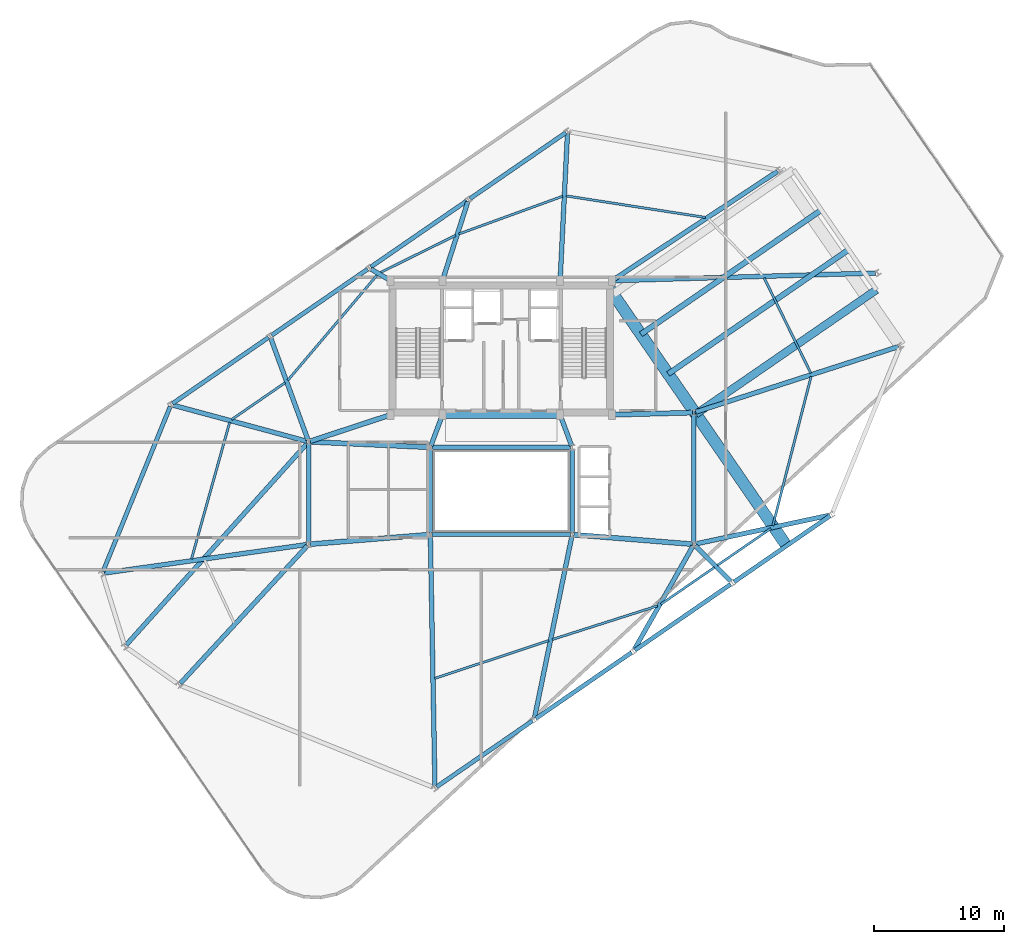
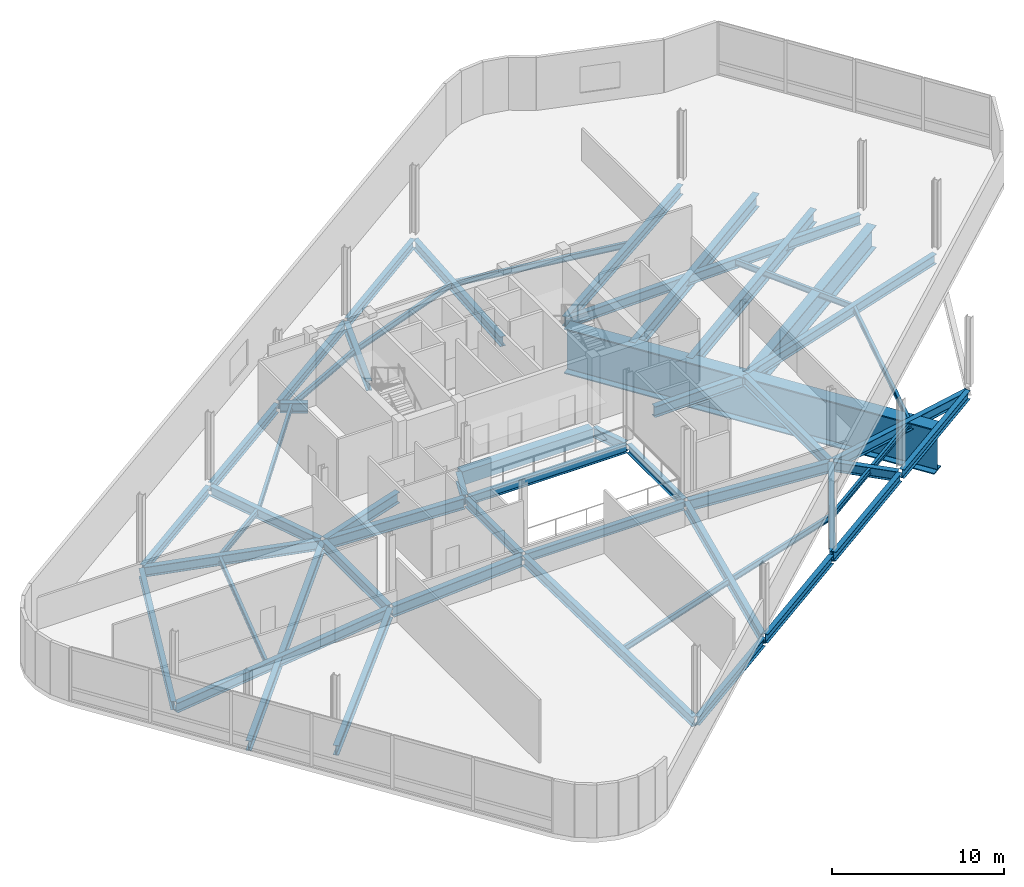
# One storey, part 7 of 15: 55 beams.
"""IFC4 building model written with IfcOpenShell, lengths in metres."""

from ifc_helpers import new_model, si_unit, direction, frame, origin, origin_2d, place, context, subcontext, project, spatial, rectangle, i_section, extrude, material, material_profile, profile_set, type_object, element, save


model = new_model("IFC4")

# Units and contexts
model_context = context("Model", 3, precision=1e-05, world=origin(), true_north=direction((0.0, 1.0)))
body_context = subcontext(model_context, "Body", "Model", "MODEL_VIEW")
ifc_project = project(units=[si_unit("LENGTHUNIT", "METRE"), si_unit("AREAUNIT", "SQUARE_METRE"), si_unit("VOLUMEUNIT", "CUBIC_METRE"), si_unit("PLANEANGLEUNIT", "RADIAN"), si_unit("MASSUNIT", "GRAM", prefix="KILO")], contexts=[model_context])

# Site, building, storey
site_placement = place(None, origin())
site = spatial("IfcSite", under=ifc_project, at=site_placement, CompositionType="ELEMENT")
building_placement = place(site_placement, origin())
building = spatial("IfcBuilding", under=site, at=building_placement, Name="Varnelok Gate Tower", CompositionType="ELEMENT")
storey_placement = place(building_placement, frame((0.0, 0.0, 291.5)))
storey = spatial("IfcBuildingStorey", under=building, at=storey_placement, Name="L75", CompositionType="ELEMENT", Elevation=291.5)

# Beams
ifc_material_1 = material(Name="Structural Steel ASTM A572 Grade 50", Category="steel")
ifc_material_profile_1 = material_profile(ifc_material_1, i_section(OverallWidth=0.60009765625, OverallDepth=1.60009765625, WebThickness=0.028076171875, FlangeThickness=0.050048828125, FilletRadius=0.02392578125, at=origin_2d()), Name="PG1600X600")
ifc_profile_set_1 = profile_set([ifc_material_profile_1], Name="Structural Steel ASTM A572 Grade 50")
beam_type_1 = type_object("IfcBeamType", Name="BM-CANT-G1", PredefinedType="BEAM", material=ifc_profile_set_1)
beam_1_placement = place(storey_placement, frame((54.1533203125, 28.80029296875, -1.1201171875), z_axis=(0.823535006507, 0.567265452022, 0.0), x_axis=(-0.567265452022, 0.823535006507, 0.0)))
element("IfcBeam", 1, at=beam_1_placement, inside=storey, type_object=beam_type_1, Name="L75 Sky Lounge Cantilever Girder 1", PredefinedType="BEAM", context=body_context, shape_type="SweptSolid", body=[
    extrude(i_section(OverallWidth=0.60009765625, OverallDepth=1.60009765625, WebThickness=0.028076171875, FlangeThickness=0.050048828125, FilletRadius=0.02392578125, at=origin_2d()), origin(), (0.0, 0.0, 1.0), 16.831787109375),
])
ifc_material_2 = material(Name="Structural Steel ASTM A992 Grade 50", Category="steel")
ifc_material_profile_2 = material_profile(ifc_material_2, i_section(OverallWidth=0.423095703125, OverallDepth=0.947998046875, WebThickness=0.02392578125, FlangeThickness=0.042724609375, FilletRadius=0.028076171875, at=origin_2d()), Name="W36X302")
ifc_profile_set_2 = profile_set([ifc_material_profile_2], Name="Structural Steel ASTM A992 Grade 50")
beam_type_2 = type_object("IfcBeamType", Name="BM-CANT-G2", PredefinedType="BEAM", material=ifc_profile_set_2)
for number, where, z_axis, x_axis, name in (
    (2, (52.02587890625, 31.888427734375, -0.7939453125), (0.823532897949, 0.567268513135, 0.0), (-0.567268513135, 0.823532897949, 0.0), "L75 Sky Lounge Cantilever Girder 2"),
    (3, (49.927001953125, 34.935546875, -0.7939453125), (0.823532897949, 0.567268513135, 0.0), (-0.567268513135, 0.823532897949, 0.0), "L75 Sky Lounge Cantilever Girder 3"),
):
    element("IfcBeam", number, at=place(storey_placement, frame(where, z_axis=z_axis, x_axis=x_axis)), inside=storey, type_object=beam_type_2, Name=name, PredefinedType="BEAM", context=body_context, shape_type="SweptSolid", body=[
        extrude(i_section(OverallWidth=0.423095703125, OverallDepth=0.947998046875, WebThickness=0.02392578125, FlangeThickness=0.042724609375, FilletRadius=0.028076171875, at=origin_2d()), origin(), (0.0, 0.0, 1.0), 16.83203125),
    ])
ifc_material_profile_3 = material_profile(ifc_material_2, i_section(OverallWidth=0.180908203125, OverallDepth=0.4169921875, WebThickness=0.010986328125, FlangeThickness=0.018310546875, FilletRadius=0.013916015625, at=origin_2d()), Name="W16X57")
ifc_profile_set_3 = profile_set([ifc_material_profile_3], Name="Structural Steel ASTM A992 Grade 50")
beam_type_3 = type_object("IfcBeamType", Name="BM-JST-W16X57", PredefinedType="JOIST", material=ifc_profile_set_3)
beam_2_placement = place(storey_placement, frame((34.086669921875, 8.49658203125, -0.528564453125), z_axis=(0.949274037085, 0.314450000026, 0.0), x_axis=(-0.314450000026, 0.949274037085, 0.0)))
element("IfcBeam", 4, at=beam_2_placement, inside=storey, type_object=beam_type_3, Name="L75 Sector Floor Joist 1", PredefinedType="JOIST", context=body_context, shape_type="SweptSolid", body=[
    extrude(i_section(OverallWidth=0.180908203125, OverallDepth=0.4169921875, WebThickness=0.010986328125, FlangeThickness=0.018310546875, FilletRadius=0.013916015625, at=origin_2d()), origin(), (0.0, 0.0, 1.0), 9.2314453125),
])
beam_3_placement = place(storey_placement, frame((43.1162109375, 11.486083984375, -0.528564453125), z_axis=(0.952675675673, 0.303988580347, 0.0), x_axis=(-0.303988580347, 0.952675675673, 0.0)))
element("IfcBeam", 5, at=beam_3_placement, inside=storey, type_object=beam_type_3, Name="L75 Sector Floor Joist 2", PredefinedType="JOIST", context=body_context, shape_type="SweptSolid", body=[
    extrude(i_section(OverallWidth=0.180908203125, OverallDepth=0.4169921875, WebThickness=0.010986328125, FlangeThickness=0.018310546875, FilletRadius=0.013916015625, at=origin_2d()), origin(), (0.0, 0.0, 1.0), 8.497802734375),
])
beam_4_placement = place(storey_placement, frame((51.460693359375, 14.19140625, -0.528564453125), z_axis=(0.823527908528, 0.567275756468, 0.0), x_axis=(-0.567275756468, 0.823527908528, 0.0)))
element("IfcBeam", 6, at=beam_4_placement, inside=storey, type_object=beam_type_3, Name="L75 Sector Floor Joist 3", PredefinedType="JOIST", context=body_context, shape_type="SweptSolid", body=[
    extrude(i_section(OverallWidth=0.180908203125, OverallDepth=0.4169921875, WebThickness=0.010986328125, FlangeThickness=0.018310546875, FilletRadius=0.013916015625, at=origin_2d()), origin(), (0.0, 0.0, 1.0), 4.992431640625),
])
beam_5_placement = place(storey_placement, frame((55.802734375, 17.18212890625, -0.528564453125), z_axis=(0.823520800119, 0.567286075778, 0.0), x_axis=(-0.567286075778, 0.823520800119, 0.0)))
element("IfcBeam", 7, at=beam_5_placement, inside=storey, type_object=beam_type_3, Name="L75 Sector Floor Joist 4", PredefinedType="JOIST", context=body_context, shape_type="SweptSolid", body=[
    extrude(i_section(OverallWidth=0.180908203125, OverallDepth=0.4169921875, WebThickness=0.010986328125, FlangeThickness=0.018310546875, FilletRadius=0.013916015625, at=origin_2d()), origin(), (0.0, 0.0, 1.0), 4.99267578125),
])
beam_6_placement = place(storey_placement, frame((60.064208984375, 20.229248046875, -0.528564453125), z_axis=(0.248276124204, 0.968689303208, 0.0), x_axis=(-0.968689303208, 0.248276124204, 0.0)))
element("IfcBeam", 8, at=beam_6_placement, inside=storey, type_object=beam_type_3, Name="L75 Sector Floor Joist 5", PredefinedType="JOIST", context=body_context, shape_type="SweptSolid", body=[
    extrude(i_section(OverallWidth=0.180908203125, OverallDepth=0.4169921875, WebThickness=0.010986328125, FlangeThickness=0.018310546875, FilletRadius=0.013916015625, at=origin_2d()), origin(), (0.0, 0.0, 1.0), 11.83935546875),
])
beam_7_placement = place(storey_placement, frame((62.976806640625, 31.959228515625, -0.528564453125), z_axis=(-0.439970708301, 0.898012124549, 0.0), x_axis=(-0.898012124549, -0.439970708301, 0.0)))
element("IfcBeam", 9, at=beam_7_placement, inside=storey, type_object=beam_type_3, Name="L75 Sector Floor Joist 6", PredefinedType="JOIST", context=body_context, shape_type="SweptSolid", body=[
    extrude(i_section(OverallWidth=0.180908203125, OverallDepth=0.4169921875, WebThickness=0.010986328125, FlangeThickness=0.018310546875, FilletRadius=0.013916015625, at=origin_2d()), origin(), (0.0, 0.0, 1.0), 8.13330078125),
])
beam_8_placement = place(storey_placement, frame((54.88818359375, 43.9091796875, -0.528564453125), z_axis=(-0.98823160299, 0.152965024929, 0.0), x_axis=(-0.152965024929, -0.98823160299, 0.0)))
element("IfcBeam", 10, at=beam_8_placement, inside=storey, type_object=beam_type_3, Name="L75 Sector Floor Joist 8", PredefinedType="JOIST", context=body_context, shape_type="SweptSolid", body=[
    extrude(i_section(OverallWidth=0.180908203125, OverallDepth=0.4169921875, WebThickness=0.010986328125, FlangeThickness=0.018310546875, FilletRadius=0.013916015625, at=origin_2d()), origin(), (0.0, 0.0, 1.0), 10.830810546875),
])
beam_9_placement = place(storey_placement, frame((43.914794921875, 45.53955078125, -0.528564453125), z_axis=(-0.939849757467, -0.34158810487, 0.0), x_axis=(0.34158810487, -0.939849757467, 0.0)))
element("IfcBeam", 11, at=beam_9_placement, inside=storey, type_object=beam_type_3, Name="L75 Sector Floor Joist 9", PredefinedType="JOIST", context=body_context, shape_type="SweptSolid", body=[
    extrude(i_section(OverallWidth=0.180908203125, OverallDepth=0.4169921875, WebThickness=0.010986328125, FlangeThickness=0.018310546875, FilletRadius=0.013916015625, at=origin_2d()), origin(), (0.0, 0.0, 1.0), 8.475830078125),
])
beam_10_placement = place(storey_placement, frame((35.691650390625, 42.534423828125, -0.528564453125), z_axis=(-0.896552094437, -0.442938304914, 0.0), x_axis=(0.442938304914, -0.896552094437, 0.0)))
element("IfcBeam", 12, at=beam_10_placement, inside=storey, type_object=beam_type_3, Name="L75 Sector Floor Joist 10", PredefinedType="JOIST", context=body_context, shape_type="SweptSolid", body=[
    extrude(i_section(OverallWidth=0.180908203125, OverallDepth=0.4169921875, WebThickness=0.010986328125, FlangeThickness=0.018310546875, FilletRadius=0.013916015625, at=origin_2d()), origin(), (0.0, 0.0, 1.0), 6.471923828125),
])
beam_11_placement = place(storey_placement, frame((29.673095703125, 39.498779296875, -0.528564453125), z_axis=(-0.647000133206, -0.762489886905, 0.0), x_axis=(0.762489886905, -0.647000133206, 0.0)))
element("IfcBeam", 13, at=beam_11_placement, inside=storey, type_object=beam_type_3, Name="L75 Sector Floor Joist 11", PredefinedType="JOIST", context=body_context, shape_type="SweptSolid", body=[
    extrude(i_section(OverallWidth=0.180908203125, OverallDepth=0.4169921875, WebThickness=0.010986328125, FlangeThickness=0.018310546875, FilletRadius=0.013916015625, at=origin_2d()), origin(), (0.0, 0.0, 1.0), 10.618408203125),
])
beam_12_placement = place(storey_placement, frame((22.597412109375, 31.21630859375, -0.528564453125), z_axis=(-0.823520800119, -0.567286075778, 0.0), x_axis=(0.567286075778, -0.823520800119, 0.0)))
element("IfcBeam", 14, at=beam_12_placement, inside=storey, type_object=beam_type_3, Name="L75 Sector Floor Joist 12", PredefinedType="JOIST", context=body_context, shape_type="SweptSolid", body=[
    extrude(i_section(OverallWidth=0.180908203125, OverallDepth=0.4169921875, WebThickness=0.010986328125, FlangeThickness=0.018310546875, FilletRadius=0.013916015625, at=origin_2d()), origin(), (0.0, 0.0, 1.0), 4.99267578125),
])
beam_13_placement = place(storey_placement, frame((18.332763671875, 28.169921875, -0.528564453125), z_axis=(-0.268896021427, -0.963169211333, 0.0), x_axis=(0.963169211333, -0.268896021427, 0.0)))
element("IfcBeam", 15, at=beam_13_placement, inside=storey, type_object=beam_type_3, Name="L75 Sector Floor Joist 13", PredefinedType="JOIST", context=body_context, shape_type="SweptSolid", body=[
    extrude(i_section(OverallWidth=0.180908203125, OverallDepth=0.4169921875, WebThickness=0.010986328125, FlangeThickness=0.018310546875, FilletRadius=0.013916015625, at=origin_2d()), origin(), (0.0, 0.0, 1.0), 10.908935546875),
])
ifc_material_3 = material(Name="Concrete C60/75", Category="concrete")
ifc_material_profile_4 = material_profile(ifc_material_3, rectangle(XDim=0.60009765625, YDim=0.949951171875, at=origin_2d()), Name="RC950X600")
ifc_profile_set_4 = profile_set([ifc_material_profile_4], Name="Concrete C60/75")
beam_type_4 = type_object("IfcBeamType", Name="BM-LNT-RC950", PredefinedType="LINTEL", material=ifc_profile_set_4)
beam_14_placement = place(storey_placement, frame((34.800048828125, 28.75, -0.794921875), z_axis=(1.0, 0.0, 0.0), x_axis=(0.0, 1.0, 0.0)))
element("IfcBeam", 16, at=beam_14_placement, inside=storey, type_object=beam_type_4, Name="L75 Core-Atrium Spine Beam 7", PredefinedType="LINTEL", context=body_context, shape_type="SweptSolid", body=[
    extrude(rectangle(XDim=0.60009765625, YDim=0.949951171875, at=origin_2d()), origin(), (0.0, 0.0, 1.0), 8.800048828125),
])
ifc_material_profile_5 = material_profile(ifc_material_2, i_section(OverallWidth=0.35498046875, OverallDepth=0.696044921875, WebThickness=0.015380859375, FlangeThickness=0.02490234375, FilletRadius=0.02001953125, at=origin_2d()), Name="W27X146")
ifc_profile_set_5 = profile_set([ifc_material_profile_5], Name="Structural Steel ASTM A992 Grade 50")
beam_type_5 = type_object("IfcBeamType", Name="BM-PRI-W27X146", PredefinedType="BEAM", material=ifc_profile_set_5)
for number, where, z_axis, x_axis, name in (
    (17, (33.791748046875, 26.362548828125, -0.66796875), (0.348719329408, 0.937227202602, 0.0), (-0.937227202602, 0.348719329408, 0.0), "L75 Core-Atrium Spine Beam 12"),
    (18, (44.608154296875, 26.362548828125, -0.66796875), (-0.348719329408, 0.937227202602, 0.0), (-0.937227202602, -0.348719329408, 0.0), "L75 Core-Atrium Spine Beam 13"),
):
    element("IfcBeam", number, at=place(storey_placement, frame(where, z_axis=z_axis, x_axis=x_axis)), inside=storey, type_object=beam_type_5, Name=name, PredefinedType="BEAM", context=body_context, shape_type="SweptSolid", body=[
        extrude(i_section(OverallWidth=0.35498046875, OverallDepth=0.696044921875, WebThickness=0.015380859375, FlangeThickness=0.02490234375, FilletRadius=0.02001953125, at=origin_2d()), origin(), (0.0, 0.0, 1.0), 2.42724609375),
    ])
beam_15_placement = place(storey_placement, frame((24.39990234375, 18.919921875, -0.66796875), z_axis=(0.0, 1.0, 0.0), x_axis=(-1.0, 0.0, 0.0)))
element("IfcBeam", 19, at=beam_15_placement, inside=storey, type_object=beam_type_5, Name="L75 Core-Atrium Spine Beam 16", PredefinedType="BEAM", context=body_context, shape_type="SweptSolid", body=[
    extrude(i_section(OverallWidth=0.35498046875, OverallDepth=0.696044921875, WebThickness=0.015380859375, FlangeThickness=0.02490234375, FilletRadius=0.02001953125, at=origin_2d()), origin(), (0.0, 0.0, 1.0), 7.64013671875),
])
beam_16_placement = place(storey_placement, frame((54.0, 18.919921875, -0.66796875), z_axis=(0.0, 1.0, 0.0), x_axis=(-1.0, 0.0, 0.0)))
element("IfcBeam", 20, at=beam_16_placement, inside=storey, type_object=beam_type_5, Name="L75 Core-Atrium Spine Beam 20", PredefinedType="BEAM", context=body_context, shape_type="SweptSolid", body=[
    extrude(i_section(OverallWidth=0.35498046875, OverallDepth=0.696044921875, WebThickness=0.015380859375, FlangeThickness=0.02490234375, FilletRadius=0.02001953125, at=origin_2d()), origin(), (0.0, 0.0, 1.0), 9.880126953125),
])
beam_17_placement = place(storey_placement, frame((33.752685546875, 19.39990234375, -0.66796875), z_axis=(0.018349623406, -0.999831631486, 0.0), x_axis=(0.999831631486, 0.018349623406, 0.0)))
element("IfcBeam", 21, at=beam_17_placement, inside=storey, type_object=beam_type_5, Name="L75 Radial Floor Girder 1", PredefinedType="BEAM", context=body_context, shape_type="SweptSolid", body=[
    extrude(i_section(OverallWidth=0.35498046875, OverallDepth=0.696044921875, WebThickness=0.015380859375, FlangeThickness=0.02490234375, FilletRadius=0.02001953125, at=origin_2d()), origin(), (0.0, 0.0, 1.0), 19.17236328125),
])
beam_18_placement = place(storey_placement, frame((44.619873046875, 19.403076171875, -0.66796875), z_axis=(-0.201445575576, -0.979499709077, 0.0), x_axis=(0.979499709077, -0.201445575576, 0.0)))
element("IfcBeam", 22, at=beam_18_placement, inside=storey, type_object=beam_type_5, Name="L75 Radial Floor Girder 2", PredefinedType="BEAM", context=body_context, shape_type="SweptSolid", body=[
    extrude(i_section(OverallWidth=0.35498046875, OverallDepth=0.696044921875, WebThickness=0.015380859375, FlangeThickness=0.02490234375, FilletRadius=0.02001953125, at=origin_2d()), origin(), (0.0, 0.0, 1.0), 14.2197265625),
])
beam_19_placement = place(storey_placement, frame((53.926025390625, 18.66943359375, -0.66796875), z_axis=(-0.49272782428, -0.870183481331, 0.0), x_axis=(0.870183481331, -0.49272782428, 0.0)))
element("IfcBeam", 23, at=beam_19_placement, inside=storey, type_object=beam_type_5, Name="L75 Radial Floor Girder 3", PredefinedType="BEAM", context=body_context, shape_type="SweptSolid", body=[
    extrude(i_section(OverallWidth=0.35498046875, OverallDepth=0.696044921875, WebThickness=0.015380859375, FlangeThickness=0.02490234375, FilletRadius=0.02001953125, at=origin_2d()), origin(), (0.0, 0.0, 1.0), 9.151611328125),
])
beam_20_placement = place(storey_placement, frame((54.105712890625, 18.693603515625, -0.66796875), z_axis=(0.705068615511, -0.709139088911, 0.0), x_axis=(0.709139088911, 0.705068615511, 0.0)))
element("IfcBeam", 24, at=beam_20_placement, inside=storey, type_object=beam_type_5, Name="L75 Radial Floor Girder 4", PredefinedType="BEAM", context=body_context, shape_type="SweptSolid", body=[
    extrude(i_section(OverallWidth=0.35498046875, OverallDepth=0.696044921875, WebThickness=0.015380859375, FlangeThickness=0.02490234375, FilletRadius=0.02001953125, at=origin_2d()), origin(), (0.0, 0.0, 1.0), 3.898681640625),
])
beam_21_placement = place(storey_placement, frame((54.146728515625, 18.83154296875, -0.66796875), z_axis=(0.977750075893, 0.209773184872, 0.0), x_axis=(-0.209773184872, 0.977750075893, 0.0)))
element("IfcBeam", 25, at=beam_21_placement, inside=storey, type_object=beam_type_5, Name="L75 Radial Floor Girder 5", PredefinedType="BEAM", context=body_context, shape_type="SweptSolid", body=[
    extrude(i_section(OverallWidth=0.35498046875, OverallDepth=0.696044921875, WebThickness=0.015380859375, FlangeThickness=0.02490234375, FilletRadius=0.02001953125, at=origin_2d()), origin(), (0.0, 0.0, 1.0), 10.518798828125),
])
beam_22_placement = place(storey_placement, frame((54.142822265625, 28.966064453125, -0.66796875), z_axis=(0.95177048337, 0.306810930356, 0.0), x_axis=(-0.306810930356, 0.95177048337, 0.0)))
element("IfcBeam", 26, at=beam_22_placement, inside=storey, type_object=beam_type_5, Name="L75 Radial Floor Girder 6", PredefinedType="BEAM", context=body_context, shape_type="SweptSolid", body=[
    extrude(i_section(OverallWidth=0.35498046875, OverallDepth=0.696044921875, WebThickness=0.015380859375, FlangeThickness=0.02490234375, FilletRadius=0.02001953125, at=origin_2d()), origin(), (0.0, 0.0, 1.0), 16.3603515625),
])
beam_23_placement = place(storey_placement, frame((47.849853515625, 39.054443359375, -0.66796875), z_axis=(0.999576755953, 0.029091389778, 0.0), x_axis=(-0.029091389778, 0.999576755953, 0.0)))
element("IfcBeam", 27, at=beam_23_placement, inside=storey, type_object=beam_type_5, Name="L75 Radial Floor Girder 7", PredefinedType="BEAM", context=body_context, shape_type="SweptSolid", body=[
    extrude(i_section(OverallWidth=0.35498046875, OverallDepth=0.696044921875, WebThickness=0.015380859375, FlangeThickness=0.02490234375, FilletRadius=0.02001953125, at=origin_2d()), origin(), (0.0, 0.0, 1.0), 20.12451171875),
])
beam_24_placement = place(storey_placement, frame((47.8251953125, 39.1328125, -0.66796875), z_axis=(0.834499250809, 0.551009074697, 0.0), x_axis=(-0.551009074697, 0.834499250809, 0.0)))
element("IfcBeam", 28, at=beam_24_placement, inside=storey, type_object=beam_type_5, Name="L75 Radial Floor Girder 8", PredefinedType="BEAM", context=body_context, shape_type="SweptSolid", body=[
    extrude(i_section(OverallWidth=0.35498046875, OverallDepth=0.696044921875, WebThickness=0.015380859375, FlangeThickness=0.02490234375, FilletRadius=0.02001953125, at=origin_2d()), origin(), (0.0, 0.0, 1.0), 15.102783203125),
])
beam_25_placement = place(storey_placement, frame((43.7275390625, 39.19970703125, -0.66796875), z_axis=(0.049860312634, 0.998756201094, 0.0), x_axis=(-0.998756201094, 0.049860312634, 0.0)))
element("IfcBeam", 29, at=beam_25_placement, inside=storey, type_object=beam_type_5, Name="L75 Radial Floor Girder 9", PredefinedType="BEAM", context=body_context, shape_type="SweptSolid", body=[
    extrude(i_section(OverallWidth=0.35498046875, OverallDepth=0.696044921875, WebThickness=0.015380859375, FlangeThickness=0.02490234375, FilletRadius=0.02001953125, at=origin_2d()), origin(), (0.0, 0.0, 1.0), 11.18359375),
])
beam_26_placement = place(storey_placement, frame((34.725830078125, 39.19287109375, -0.66796875), z_axis=(0.305315663047, 0.952251198948, 0.0), x_axis=(-0.952251198948, 0.305315663047, 0.0)))
element("IfcBeam", 30, at=beam_26_placement, inside=storey, type_object=beam_type_5, Name="L75 Radial Floor Girder 10", PredefinedType="BEAM", context=body_context, shape_type="SweptSolid", body=[
    extrude(i_section(OverallWidth=0.35498046875, OverallDepth=0.696044921875, WebThickness=0.015380859375, FlangeThickness=0.02490234375, FilletRadius=0.02001953125, at=origin_2d()), origin(), (0.0, 0.0, 1.0), 6.23388671875),
])
beam_27_placement = place(storey_placement, frame((30.571044921875, 39.12646484375, -0.66796875), z_axis=(-0.859971198292, 0.510342569367, 0.0), x_axis=(-0.510342569367, -0.859971198292, 0.0)))
element("IfcBeam", 31, at=beam_27_placement, inside=storey, type_object=beam_type_5, Name="L75 Radial Floor Girder 11", PredefinedType="BEAM", context=body_context, shape_type="SweptSolid", body=[
    extrude(i_section(OverallWidth=0.35498046875, OverallDepth=0.696044921875, WebThickness=0.015380859375, FlangeThickness=0.02490234375, FilletRadius=0.02001953125, at=origin_2d()), origin(), (0.0, 0.0, 1.0), 1.6103515625),
])
beam_28_placement = place(storey_placement, frame((24.348388671875, 26.82080078125, -0.66796875), z_axis=(-0.343337291508, 0.939212172121, 0.0), x_axis=(-0.939212172121, -0.343337291508, 0.0)))
element("IfcBeam", 32, at=beam_28_placement, inside=storey, type_object=beam_type_5, Name="L75 Radial Floor Girder 12", PredefinedType="BEAM", context=body_context, shape_type="SweptSolid", body=[
    extrude(i_section(OverallWidth=0.35498046875, OverallDepth=0.696044921875, WebThickness=0.015380859375, FlangeThickness=0.02490234375, FilletRadius=0.02001953125, at=origin_2d()), origin(), (0.0, 0.0, 1.0), 8.32177734375),
])
beam_29_placement = place(storey_placement, frame((24.255126953125, 26.718994140625, -0.66796875), z_axis=(-0.965561980059, 0.260173139782, 0.0), x_axis=(-0.260173139782, -0.965561980059, 0.0)))
element("IfcBeam", 33, at=beam_29_placement, inside=storey, type_object=beam_type_5, Name="L75 Radial Floor Girder 13", PredefinedType="BEAM", context=body_context, shape_type="SweptSolid", body=[
    extrude(i_section(OverallWidth=0.35498046875, OverallDepth=0.696044921875, WebThickness=0.015380859375, FlangeThickness=0.02490234375, FilletRadius=0.02001953125, at=origin_2d()), origin(), (0.0, 0.0, 1.0), 10.6552734375),
])
beam_30_placement = place(storey_placement, frame((24.25146484375, 18.779052734375, -0.66796875), z_axis=(-0.990242546669, -0.139354579277, 0.0), x_axis=(0.139354579277, -0.990242546669, 0.0)))
element("IfcBeam", 34, at=beam_30_placement, inside=storey, type_object=beam_type_5, Name="L75 Radial Floor Girder 14", PredefinedType="BEAM", context=body_context, shape_type="SweptSolid", body=[
    extrude(i_section(OverallWidth=0.35498046875, OverallDepth=0.696044921875, WebThickness=0.015380859375, FlangeThickness=0.02490234375, FilletRadius=0.02001953125, at=origin_2d()), origin(), (0.0, 0.0, 1.0), 15.713134765625),
])
beam_31_placement = place(storey_placement, frame((24.2998046875, 26.568359375, -0.66796875), z_axis=(-0.668020095308, -0.744143233702, 0.0), x_axis=(0.744143233702, -0.668020095308, 0.0)))
element("IfcBeam", 35, at=beam_31_placement, inside=storey, type_object=beam_type_5, Name="L75 Radial Floor Girder 15", PredefinedType="BEAM", context=body_context, shape_type="SweptSolid", body=[
    extrude(i_section(OverallWidth=0.35498046875, OverallDepth=0.696044921875, WebThickness=0.015380859375, FlangeThickness=0.02490234375, FilletRadius=0.02001953125, at=origin_2d()), origin(), (0.0, 0.0, 1.0), 20.83056640625),
])
beam_32_placement = place(storey_placement, frame((24.29833984375, 18.689697265625, -0.66796875), z_axis=(-0.677969926739, -0.73508963973, 0.0), x_axis=(0.73508963973, -0.677969926739, 0.0)))
element("IfcBeam", 36, at=beam_32_placement, inside=storey, type_object=beam_type_5, Name="L75 Radial Floor Girder 16", PredefinedType="BEAM", context=body_context, shape_type="SweptSolid", body=[
    extrude(i_section(OverallWidth=0.35498046875, OverallDepth=0.696044921875, WebThickness=0.015380859375, FlangeThickness=0.02490234375, FilletRadius=0.02001953125, at=origin_2d()), origin(), (0.0, 0.0, 1.0), 14.386962890625),
])
ifc_material_profile_6 = material_profile(ifc_material_2, i_section(OverallWidth=0.381103515625, OverallDepth=0.77294921875, WebThickness=0.0166015625, FlangeThickness=0.027099609375, FilletRadius=0.02197265625, at=origin_2d()), Name="W30X173")
ifc_profile_set_6 = profile_set([ifc_material_profile_6], Name="Structural Steel ASTM A992 Grade 50")
beam_type_6 = type_object("IfcBeamType", Name="BM-PRI-W30X173", PredefinedType="BEAM", material=ifc_profile_set_6)
beam_33_placement = place(storey_placement, frame((24.51953125, 18.8095703125, -0.70654296875), z_axis=(0.996799206292, 0.07994587128, 0.0), x_axis=(-0.07994587128, 0.996799206292, 0.0)))
element("IfcBeam", 37, at=beam_33_placement, inside=storey, type_object=beam_type_6, Name="L75 Core-Atrium Spine Beam 14", PredefinedType="BEAM", context=body_context, shape_type="SweptSolid", body=[
    extrude(i_section(OverallWidth=0.381103515625, OverallDepth=0.77294921875, WebThickness=0.0166015625, FlangeThickness=0.027099609375, FilletRadius=0.02197265625, at=origin_2d()), origin(), (0.0, 0.0, 1.0), 9.14013671875),
])
beam_34_placement = place(storey_placement, frame((24.52001953125, 26.674560546875, -0.70654296875), z_axis=(0.99894427814, -0.045938319209, 0.0), x_axis=(0.045938319209, 0.99894427814, 0.0)))
element("IfcBeam", 38, at=beam_34_placement, inside=storey, type_object=beam_type_6, Name="L75 Core-Atrium Spine Beam 15", PredefinedType="BEAM", context=body_context, shape_type="SweptSolid", body=[
    extrude(i_section(OverallWidth=0.381103515625, OverallDepth=0.77294921875, WebThickness=0.0166015625, FlangeThickness=0.027099609375, FilletRadius=0.02197265625, at=origin_2d()), origin(), (0.0, 0.0, 1.0), 9.11962890625),
])
beam_35_placement = place(storey_placement, frame((24.513916015625, 26.717529296875, -0.70654296875), z_axis=(0.950041943788, 0.312122259768, 0.0), x_axis=(-0.312122259768, 0.950041943788, 0.0)))
element("IfcBeam", 39, at=beam_35_placement, inside=storey, type_object=beam_type_6, Name="L75 Core-Atrium Spine Beam 17", PredefinedType="BEAM", context=body_context, shape_type="SweptSolid", body=[
    extrude(i_section(OverallWidth=0.381103515625, OverallDepth=0.77294921875, WebThickness=0.0166015625, FlangeThickness=0.027099609375, FilletRadius=0.02197265625, at=origin_2d()), origin(), (0.0, 0.0, 1.0), 6.391357421875),
])
beam_36_placement = place(storey_placement, frame((44.76953125, 19.540283203125, -0.70654296875), z_axis=(0.996799206292, -0.07994587128, 0.0), x_axis=(0.07994587128, 0.996799206292, 0.0)))
element("IfcBeam", 40, at=beam_36_placement, inside=storey, type_object=beam_type_6, Name="L75 Core-Atrium Spine Beam 18", PredefinedType="BEAM", context=body_context, shape_type="SweptSolid", body=[
    extrude(i_section(OverallWidth=0.381103515625, OverallDepth=0.77294921875, WebThickness=0.0166015625, FlangeThickness=0.027099609375, FilletRadius=0.02197265625, at=origin_2d()), origin(), (0.0, 0.0, 1.0), 9.14013671875),
])
beam_37_placement = place(storey_placement, frame((47.820068359375, 28.753173828125, -0.70654296875), z_axis=(0.999635880609, 0.026983443053, 0.0), x_axis=(-0.026983443053, 0.999635880609, 0.0)))
element("IfcBeam", 41, at=beam_37_placement, inside=storey, type_object=beam_type_6, Name="L75 Core-Atrium Spine Beam 19", PredefinedType="BEAM", context=body_context, shape_type="SweptSolid", body=[
    extrude(i_section(OverallWidth=0.381103515625, OverallDepth=0.77294921875, WebThickness=0.0166015625, FlangeThickness=0.027099609375, FilletRadius=0.02197265625, at=origin_2d()), origin(), (0.0, 0.0, 1.0), 6.06201171875),
])
ifc_material_profile_7 = material_profile(ifc_material_2, i_section(OverallWidth=0.323974609375, OverallDepth=0.611083984375, WebThickness=0.0126953125, FlangeThickness=0.01904296875, FilletRadius=0.01806640625, at=origin_2d()), Name="W24X104")
ifc_profile_set_7 = profile_set([ifc_material_profile_7], Name="Structural Steel ASTM A992 Grade 50")
beam_type_7 = type_object("IfcBeamType", Name="BM-SPN-W24X104", PredefinedType="SPANDREL", material=ifc_profile_set_7)
for number, where, z_axis, x_axis, name in (
    (42, (33.8701171875, 19.550048828125, -0.62548828125), (1.0, 0.0, 0.0), (0.0, 1.0, 0.0), "L75 Core-Atrium Spine Beam 8"),
    (43, (33.8701171875, 26.25, -0.62548828125), (1.0, 0.0, 0.0), (0.0, 1.0, 0.0), "L75 Core-Atrium Spine Beam 9"),
):
    element("IfcBeam", number, at=place(storey_placement, frame(where, z_axis=z_axis, x_axis=x_axis)), inside=storey, type_object=beam_type_7, Name=name, PredefinedType="SPANDREL", context=body_context, shape_type="SweptSolid", body=[
        extrude(i_section(OverallWidth=0.323974609375, OverallDepth=0.611083984375, WebThickness=0.0126953125, FlangeThickness=0.01904296875, FilletRadius=0.01806640625, at=origin_2d()), origin(), (0.0, 0.0, 1.0), 10.659912109375),
    ])
for number, where, z_axis, x_axis, name in (
    (44, (33.75, 19.669921875, -0.62548828125), (0.0, 1.0, 0.0), (-1.0, 0.0, 0.0), "L75 Core-Atrium Spine Beam 10"),
    (45, (44.64990234375, 19.669921875, -0.62548828125), (0.0, 1.0, 0.0), (-1.0, 0.0, 0.0), "L75 Core-Atrium Spine Beam 11"),
):
    element("IfcBeam", number, at=place(storey_placement, frame(where, z_axis=z_axis, x_axis=x_axis)), inside=storey, type_object=beam_type_7, Name=name, PredefinedType="SPANDREL", context=body_context, shape_type="SweptSolid", body=[
        extrude(i_section(OverallWidth=0.323974609375, OverallDepth=0.611083984375, WebThickness=0.0126953125, FlangeThickness=0.01904296875, FilletRadius=0.01806640625, at=origin_2d()), origin(), (0.0, 0.0, 1.0), 6.4599609375),
    ])
for number, where, z_axis, x_axis, name in (
    (46, (34.23095703125, 0.166015625, -0.62548828125), (0.823540167677, 0.567257959153, 0.0), (-0.567257959153, 0.823540167677, 0.0), "L75 Perimeter Spandrel Beam 1"),
    (47, (41.8486328125, 5.4130859375, -0.62548828125), (0.823540167677, 0.567257959153, 0.0), (-0.567257959153, 0.823540167677, 0.0), "L75 Perimeter Spandrel Beam 2"),
    (48, (49.46630859375, 10.660400390625, -0.62548828125), (0.823540167677, 0.567257959153, 0.0), (-0.567257959153, 0.823540167677, 0.0), "L75 Perimeter Spandrel Beam 3"),
    (49, (57.083984375, 15.90771484375, -0.62548828125), (0.823540167677, 0.567257959153, 0.0), (-0.567257959153, 0.823540167677, 0.0), "L75 Perimeter Spandrel Beam 4"),
):
    element("IfcBeam", number, at=place(storey_placement, frame(where, z_axis=z_axis, x_axis=x_axis)), inside=storey, type_object=beam_type_7, Name=name, PredefinedType="SPANDREL", context=body_context, shape_type="SweptSolid", body=[
        extrude(i_section(OverallWidth=0.323974609375, OverallDepth=0.611083984375, WebThickness=0.0126953125, FlangeThickness=0.01904296875, FilletRadius=0.01806640625, at=origin_2d()), origin(), (0.0, 0.0, 1.0), 8.949951171875),
    ])
for number, where, z_axis, x_axis, name in (
    (50, (44.169189453125, 50.43408203125, -0.62548828125), (-0.823548945124, -0.567245215921, 0.0), (0.567245215921, -0.823548945124, 0.0), "L75 Perimeter Spandrel Beam 9"),
    (51, (36.551513671875, 45.18701171875, -0.62548828125), (-0.823536202099, -0.567263716301, 0.0), (0.567263716301, -0.823536202099, 0.0), "L75 Perimeter Spandrel Beam 10"),
):
    element("IfcBeam", number, at=place(storey_placement, frame(where, z_axis=z_axis, x_axis=x_axis)), inside=storey, type_object=beam_type_7, Name=name, PredefinedType="SPANDREL", context=body_context, shape_type="SweptSolid", body=[
        extrude(i_section(OverallWidth=0.323974609375, OverallDepth=0.611083984375, WebThickness=0.0126953125, FlangeThickness=0.01904296875, FilletRadius=0.01806640625, at=origin_2d()), origin(), (0.0, 0.0, 1.0), 8.9501953125),
    ])
beam_38_placement = place(storey_placement, frame((28.93359375, 39.939697265625, -0.62548828125), z_axis=(-0.823527424215, -0.567276459555, 0.0), x_axis=(0.567276459555, -0.823527424215, 0.0)))
element("IfcBeam", 52, at=beam_38_placement, inside=storey, type_object=beam_type_7, Name="L75 Perimeter Spandrel Beam 11", PredefinedType="SPANDREL", context=body_context, shape_type="SweptSolid", body=[
    extrude(i_section(OverallWidth=0.323974609375, OverallDepth=0.611083984375, WebThickness=0.0126953125, FlangeThickness=0.01904296875, FilletRadius=0.01806640625, at=origin_2d()), origin(), (0.0, 0.0, 1.0), 8.949951171875),
])
beam_39_placement = place(storey_placement, frame((21.316162109375, 34.6923828125, -0.62548828125), z_axis=(-0.823548945124, -0.567245215921, 0.0), x_axis=(0.567245215921, -0.823548945124, 0.0)))
element("IfcBeam", 53, at=beam_39_placement, inside=storey, type_object=beam_type_7, Name="L75 Perimeter Spandrel Beam 12", PredefinedType="SPANDREL", context=body_context, shape_type="SweptSolid", body=[
    extrude(i_section(OverallWidth=0.323974609375, OverallDepth=0.611083984375, WebThickness=0.0126953125, FlangeThickness=0.01904296875, FilletRadius=0.01806640625, at=origin_2d()), origin(), (0.0, 0.0, 1.0), 8.9501953125),
])
beam_40_placement = place(storey_placement, frame((13.765380859375, 29.391357421875, -0.62548828125), z_axis=(-0.377174006677, -0.926142412746, 0.0), x_axis=(0.926142412746, -0.377174006677, 0.0)))
element("IfcBeam", 54, at=beam_40_placement, inside=storey, type_object=beam_type_7, Name="L75 Perimeter Spandrel Beam 13", PredefinedType="SPANDREL", context=body_context, shape_type="SweptSolid", body=[
    extrude(i_section(OverallWidth=0.323974609375, OverallDepth=0.611083984375, WebThickness=0.0126953125, FlangeThickness=0.01904296875, FilletRadius=0.01806640625, at=origin_2d()), origin(), (0.0, 0.0, 1.0), 13.6953125),
])
ifc_material_profile_8 = material_profile(ifc_material_1, i_section(OverallWidth=0.89990234375, OverallDepth=3.199951171875, WebThickness=0.0400390625, FlangeThickness=0.074951171875, FilletRadius=0.030029296875, at=origin_2d()), Name="PG3200X900")
ifc_profile_set_8 = profile_set([ifc_material_profile_8], Name="Structural Steel ASTM A572 Grade 50")
beam_type_8 = type_object("IfcBeamType", Name="BM-TR-PG3200", PredefinedType="BEAM", material=ifc_profile_set_8)
beam_41_placement = place(storey_placement, frame((61.102294921875, 18.7119140625, -1.919921875), z_axis=(-0.567270862975, 0.823531279321, 0.0), x_axis=(-0.823531279321, -0.567270862975, 0.0)))
element("IfcBeam", 55, at=beam_41_placement, inside=storey, type_object=beam_type_8, Name="L75 Sky Lounge Backspan Anchor Girder", PredefinedType="BEAM", context=body_context, shape_type="SweptSolid", body=[
    extrude(i_section(OverallWidth=0.89990234375, OverallDepth=3.199951171875, WebThickness=0.0400390625, FlangeThickness=0.074951171875, FilletRadius=0.030029296875, at=origin_2d()), origin(), (0.0, 0.0, 1.0), 23.8701171875),
])

save(model, "model.ifc")
